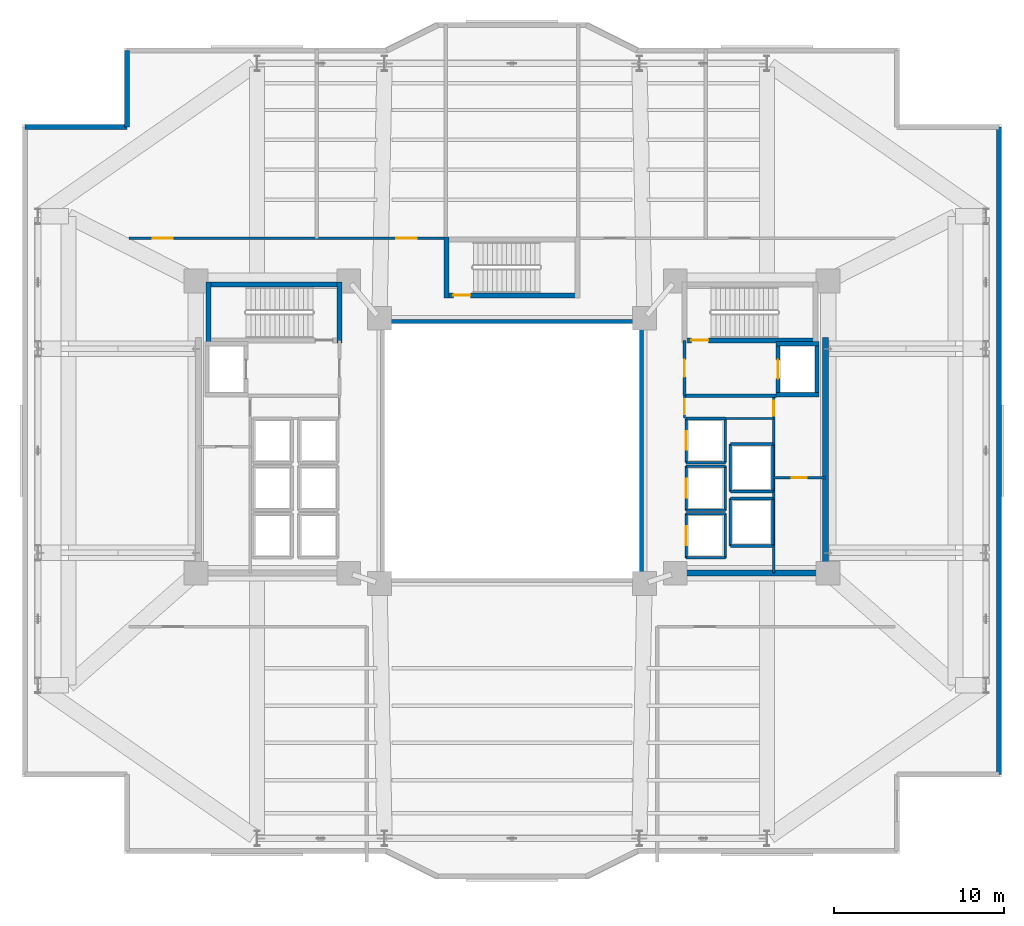
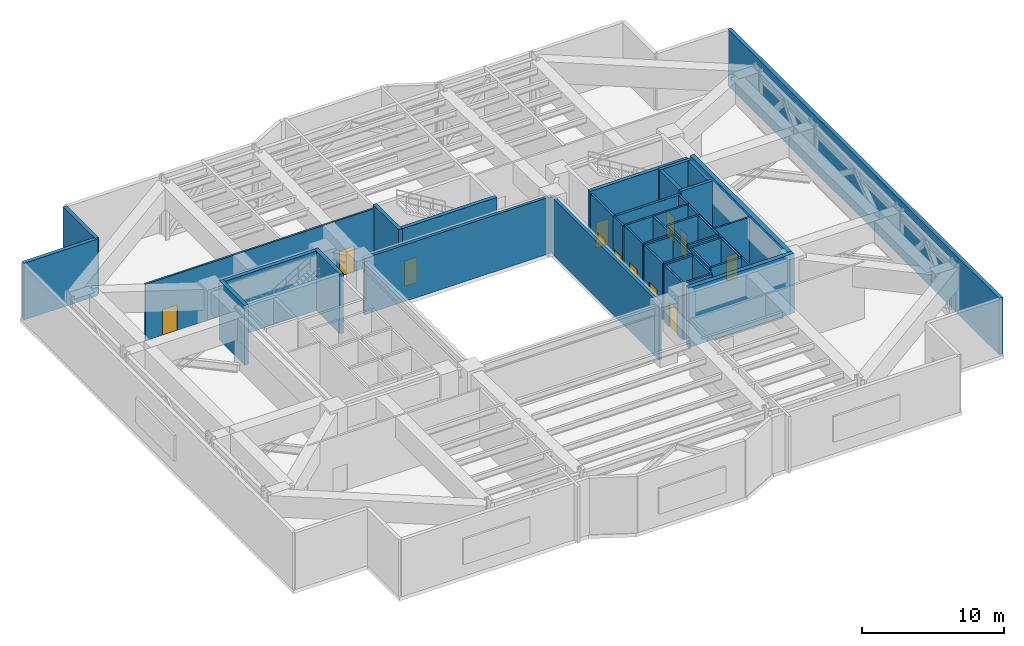
# One storey, part 9 of 12: 44 walls, 12 doors, 12 openings.
"""IFC4 building model written with IfcOpenShell, lengths in metres."""

from ifc_helpers import new_model, si_unit, direction, frame, frame_2d, origin, place, context, subcontext, project, spatial, rectangle, extrude, material, layer, layer_set, type_object, element, fill, save


model = new_model("IFC4")

# Units and contexts
model_context = context("Model", 3, precision=1e-05, world=origin(), true_north=direction((0.0, 1.0)))
body_context = subcontext(model_context, "Body", "Model", "MODEL_VIEW")
ifc_project = project(units=[si_unit("LENGTHUNIT", "METRE"), si_unit("AREAUNIT", "SQUARE_METRE"), si_unit("VOLUMEUNIT", "CUBIC_METRE"), si_unit("PLANEANGLEUNIT", "RADIAN"), si_unit("MASSUNIT", "GRAM", prefix="KILO")], contexts=[model_context])

# Site, building, storey
site_placement = place(None, origin())
site = spatial("IfcSite", under=ifc_project, at=site_placement, CompositionType="ELEMENT")
building_placement = place(site_placement, origin())
building = spatial("IfcBuilding", under=site, at=building_placement, Name="Tarnavaz Court Tower", CompositionType="ELEMENT")
storey_placement = place(building_placement, frame((0.0, 0.0, 73.199951171875)))
storey = spatial("IfcBuildingStorey", under=building, at=storey_placement, Name="L19", CompositionType="ELEMENT", Elevation=73.199951171875)

# Wall, opening, door
ifc_material_1 = material(Name="Concrete C60/75", Category="concrete")
ifc_layer_1 = layer(ifc_material_1, 0.25)
ifc_layer_set_1 = layer_set([ifc_layer_1], Name="Concrete C60/75")
wall_type_1 = type_object("IfcWallType", Name="WL-CORE-250-C60", PredefinedType="SHEAR", material=ifc_layer_set_1)
wall_1_placement = place(storey_placement, frame((15.64990234375, 3.175048828125, 0.0), z_axis=(0.0, 0.0, 1.0), x_axis=(0.0, 1.0, 0.0)))
wall_1 = element("IfcWall", 1, at=wall_1_placement, inside=storey, type_object=wall_type_1, Name="L19 Lift FL-E1 Shaft Wall 045", PredefinedType="SHEAR", context=body_context, shape_type="SweptSolid", body=[
    extrude(rectangle(XDim=3.25, YDim=0.25, at=frame_2d((1.625, 0.0))), origin(), (0.0, 0.0, 1.0), 5.10009765625),
])
opening_1_placement = place(wall_1_placement, frame((1.074951171875, 0.0, 0.0)))
opening_1 = element("IfcOpeningElement", 2, at=opening_1_placement, cuts=wall_1, Name="Opening LD1", PredefinedType="OPENING", context=body_context, shape_type="SweptSolid", body=[
    extrude(rectangle(XDim=1.10009765625, YDim=2.14990234375, at=frame_2d((0.550048828125, 1.074951171875))), frame((0.0, 0.135009765625, 0.0), z_axis=(0.0, -1.0, 0.0), x_axis=(1.0, 0.0, 0.0)), (0.0, 0.0, 1.0), 0.27001953125),
])
ifc_material_2 = material(Name="Stainless Steel", Category="steel")
door_type_1 = type_object("IfcDoorType", Name="DR-LD-1100", OperationType="NOTDEFINED", PredefinedType="DOOR", material=ifc_material_2)
door_1_placement = place(opening_1_placement, origin())
door_1 = element("IfcDoor", 3, at=door_1_placement, inside=storey, type_object=door_type_1, Name="L19 Lift Landing Door LD-FL-E1", OperationType="SLIDING_TO_LEFT", OverallHeight=2.14990234375, OverallWidth=1.10009765625, PredefinedType="DOOR", context=body_context, shape_type="SweptSolid", body=[
    extrude(rectangle(XDim=1.10009765625, YDim=2.14990234375, at=frame_2d((0.550048828125, 1.074951171875))), frame((0.0, 0.02490234375, 0.0), z_axis=(0.0, -1.0, 0.0), x_axis=(1.0, 0.0, 0.0)), (0.0, 0.0, 1.0), 0.050048828125),
])
fill(opening_1, door_1)

# Walls
wall_2_placement = place(storey_placement, frame((17.949951171875, 3.175048828125, 0.0), z_axis=(0.0, 0.0, 1.0), x_axis=(0.0, 1.0, 0.0)))
element("IfcWall", 4, at=wall_2_placement, inside=storey, type_object=wall_type_1, Name="L19 Lift FL-E1 Shaft Wall 046", PredefinedType="SHEAR", context=body_context, shape_type="SweptSolid", body=[
    extrude(rectangle(XDim=3.25, YDim=0.25, at=frame_2d((1.625, 0.0))), origin(), (0.0, 0.0, 1.0), 5.10009765625),
])
for number, where, z_axis, x_axis, name in (
    (5, (15.52490234375, 3.300048828125, 0.0), (0.0, 0.0, 1.0), (1.0, 0.0, 0.0), "L19 Lift FL-E1 Shaft Wall 047"),
    (6, (15.52490234375, 6.300048828125, 0.0), (0.0, 0.0, 1.0), (1.0, 0.0, 0.0), "L19 Lift FL-E1 Shaft Wall 048"),
):
    element("IfcWall", number, at=place(storey_placement, frame(where, z_axis=z_axis, x_axis=x_axis)), inside=storey, type_object=wall_type_1, Name=name, PredefinedType="SHEAR", context=body_context, shape_type="SweptSolid", body=[
        extrude(rectangle(XDim=2.550048828125, YDim=0.25, at=frame_2d((1.27490234375, 0.0))), origin(), (0.0, 0.0, 1.0), 5.10009765625),
    ])
ifc_layer_2 = layer(ifc_material_1, 0.300048828125)
ifc_layer_set_2 = layer_set([ifc_layer_2], Name="Concrete C60/75")
wall_type_2 = type_object("IfcWallType", Name="WL-CORE-300-C60", PredefinedType="SHEAR", material=ifc_layer_set_2)
wall_3_placement = place(storey_placement, frame((-18.0, 9.7900390625, 0.0), z_axis=(0.0, 0.0, 1.0), x_axis=(1.0, 0.0, 0.0)))
element("IfcWall", 7, at=wall_3_placement, inside=storey, type_object=wall_type_2, Name="L19 West Stair Core Wall 001", PredefinedType="SHEAR", context=body_context, shape_type="SweptSolid", body=[
    extrude(rectangle(XDim=8.0, YDim=0.300048828125, at=frame_2d((4.0, 0.0))), origin(), (0.0, 0.0, 1.0), 5.10009765625),
])
for number, where, z_axis, x_axis, name in (
    (8, (-17.85009765625, 6.35009765625, 0.0), (0.0, 0.0, 1.0), (0.0, 1.0, 0.0), "L19 West Stair Core Wall 003"),
    (9, (-10.14990234375, 6.35009765625, 0.0), (0.0, 0.0, 1.0), (0.0, 1.0, 0.0), "L19 West Stair Core Wall 004"),
):
    element("IfcWall", number, at=place(storey_placement, frame(where, z_axis=z_axis, x_axis=x_axis)), inside=storey, type_object=wall_type_2, Name=name, PredefinedType="SHEAR", context=body_context, shape_type="SweptSolid", body=[
        extrude(rectangle(XDim=3.58984375, YDim=0.300048828125, at=frame_2d((1.794921875, 0.0))), origin(), (0.0, 0.0, 1.0), 5.10009765625),
    ])

# Wall, opening, door
wall_4_placement = place(storey_placement, frame((10.0, 6.5, 0.0), z_axis=(0.0, 0.0, 1.0), x_axis=(1.0, 0.0, 0.0)))
wall_4 = element("IfcWall", 10, at=wall_4_placement, inside=storey, type_object=wall_type_2, Name="L19 East Stair Core Wall 006", PredefinedType="SHEAR", context=body_context, shape_type="SweptSolid", body=[
    extrude(rectangle(XDim=8.0, YDim=0.300048828125, at=frame_2d((4.0, 0.0))), origin(), (0.0, 0.0, 1.0), 5.10009765625),
])
opening_2_placement = place(wall_4_placement, frame((0.550048828125, 0.0, 0.0)))
opening_2 = element("IfcOpeningElement", 11, at=opening_2_placement, cuts=wall_4, Name="Opening D01", PredefinedType="OPENING", context=body_context, shape_type="SweptSolid", body=[
    extrude(rectangle(XDim=1.0, YDim=2.14990234375, at=frame_2d((0.5, 1.074951171875))), frame((0.0, 0.159912109375, 0.0), z_axis=(0.0, -1.0, 0.0), x_axis=(1.0, 0.0, 0.0)), (0.0, 0.0, 1.0), 0.320068359375),
])
ifc_material_3 = material(Name="Fire-Rated Hardwood Timber Core", Category="wood")
door_type_2 = type_object("IfcDoorType", Name="DR-FD90-1000", OperationType="NOTDEFINED", PredefinedType="DOOR", material=ifc_material_3)
door_2_placement = place(opening_2_placement, origin())
door_2 = element("IfcDoor", 12, at=door_2_placement, inside=storey, type_object=door_type_2, Name="L19 Stair ST-E1 Exit Door", OperationType="SINGLE_SWING_RIGHT", OverallHeight=2.14990234375, OverallWidth=1.0, PredefinedType="DOOR", context=body_context, shape_type="SweptSolid", body=[
    extrude(rectangle(XDim=1.0, YDim=2.14990234375, at=frame_2d((0.5, 1.074951171875))), frame((0.0, 0.02490234375, 0.0), z_axis=(0.0, -1.0, 0.0), x_axis=(1.0, 0.0, 0.0)), (0.0, 0.0, 1.0), 0.050048828125),
])
fill(opening_2, door_2)

wall_5_placement = place(storey_placement, frame((-4.0, 9.14990234375, 0.0), z_axis=(0.0, 0.0, 1.0), x_axis=(1.0, 0.0, 0.0)))
wall_5 = element("IfcWall", 13, at=wall_5_placement, inside=storey, type_object=wall_type_2, Name="L19 North Stair Core Wall 010", PredefinedType="SHEAR", context=body_context, shape_type="SweptSolid", body=[
    extrude(rectangle(XDim=8.0, YDim=0.300048828125, at=frame_2d((4.0, 0.0))), origin(), (0.0, 0.0, 1.0), 5.10009765625),
])
opening_3_placement = place(wall_5_placement, frame((0.550048828125, 0.0, 0.0)))
opening_3 = element("IfcOpeningElement", 14, at=opening_3_placement, cuts=wall_5, Name="Opening D01", PredefinedType="OPENING", context=body_context, shape_type="SweptSolid", body=[
    extrude(rectangle(XDim=1.0, YDim=2.14990234375, at=frame_2d((0.5, 1.074951171875))), frame((0.0, 0.159912109375, 0.0), z_axis=(0.0, -1.0, 0.0), x_axis=(1.0, 0.0, 0.0)), (0.0, 0.0, 1.0), 0.320068359375),
])
door_3_placement = place(opening_3_placement, origin())
door_3 = element("IfcDoor", 15, at=door_3_placement, inside=storey, type_object=door_type_2, Name="L19 Stair ST-N1 Exit Door", OperationType="SINGLE_SWING_LEFT", OverallHeight=2.14990234375, OverallWidth=1.0, PredefinedType="DOOR", context=body_context, shape_type="SweptSolid", body=[
    extrude(rectangle(XDim=1.0, YDim=2.14990234375, at=frame_2d((0.5, 1.074951171875))), frame((0.0, 0.02490234375, 0.0), z_axis=(0.0, -1.0, 0.0), x_axis=(1.0, 0.0, 0.0)), (0.0, 0.0, 1.0), 0.050048828125),
])
fill(opening_3, door_3)

# Walls
wall_6_placement = place(storey_placement, frame((-3.85009765625, 9.0, 0.0), z_axis=(0.0, 0.0, 1.0), x_axis=(0.0, 1.0, 0.0)))
element("IfcWall", 16, at=wall_6_placement, inside=storey, type_object=wall_type_2, Name="L19 North Stair Core Wall 011", PredefinedType="SHEAR", context=body_context, shape_type="SweptSolid", body=[
    extrude(rectangle(XDim=3.590087890625, YDim=0.300048828125, at=frame_2d((1.794921875, 0.0))), origin(), (0.0, 0.0, 1.0), 5.10009765625),
])
ifc_layer_3 = layer(ifc_material_1, 0.35009765625)
ifc_layer_set_3 = layer_set([ifc_layer_3], Name="Concrete C60/75")
wall_type_3 = type_object("IfcWallType", Name="WL-CORE-350-C60", PredefinedType="SHEAR", material=ifc_layer_set_3)
wall_7_placement = place(storey_placement, frame((18.449951171875, -7.375, 0.0), z_axis=(0.0, 0.0, 1.0), x_axis=(0.0, 1.0, 0.0)))
element("IfcWall", 17, at=wall_7_placement, inside=storey, type_object=wall_type_3, Name="L19 East Core Shear Wall 071", PredefinedType="SHEAR", context=body_context, shape_type="SweptSolid", body=[
    extrude(rectangle(XDim=14.050048828125, YDim=0.35009765625, at=frame_2d((7.02490234375, 0.0))), origin(), (0.0, 0.0, 1.0), 5.10009765625),
])
wall_8_placement = place(storey_placement, frame((10.074951171875, -7.199951171875, 0.0), z_axis=(0.0, 0.0, 1.0), x_axis=(1.0, 0.0, 0.0)))
element("IfcWall", 18, at=wall_8_placement, inside=storey, type_object=wall_type_3, Name="L19 East Core South Shear Wall 072", PredefinedType="SHEAR", context=body_context, shape_type="SweptSolid", body=[
    extrude(rectangle(XDim=8.550048828125, YDim=0.35009765625, at=frame_2d((4.27490234375, 0.0))), origin(), (0.0, 0.0, 1.0), 5.10009765625),
])
ifc_material_4 = material(Name="Precast Concrete C40/50", Category="concrete")
ifc_layer_4 = layer(ifc_material_4, 0.300048828125)
ifc_layer_set_4 = layer_set([ifc_layer_4], Name="Precast Concrete C40/50")
wall_type_4 = type_object("IfcWallType", Name="WL-EXT-300", PredefinedType="SOLIDWALL", material=ifc_layer_set_4)
wall_9_placement = place(storey_placement, frame((-28.64990234375, 19.050048828125, 0.0), z_axis=(0.0, 0.0, 1.0), x_axis=(1.0, 0.0, 0.0)))
element("IfcWall", 19, at=wall_9_placement, inside=storey, type_object=wall_type_4, Name="L19 Exterior Terracotta Facade Wall 03", PredefinedType="SOLIDWALL", context=body_context, shape_type="SweptSolid", body=[
    extrude(rectangle(XDim=6.0, YDim=0.300048828125, at=frame_2d((3.0, 0.0))), origin(), (0.0, 0.0, 1.0), 4.85009765625),
])
wall_10_placement = place(storey_placement, frame((-22.64990234375, 19.050048828125, 0.0), z_axis=(0.0, 0.0, 1.0), x_axis=(0.0, 1.0, 0.0)))
element("IfcWall", 20, at=wall_10_placement, inside=storey, type_object=wall_type_4, Name="L19 Exterior Terracotta Facade Wall 04", PredefinedType="SOLIDWALL", context=body_context, shape_type="SweptSolid", body=[
    extrude(rectangle(XDim=4.5, YDim=0.300048828125, at=frame_2d((2.25, 0.0))), origin(), (0.0, 0.0, 1.0), 4.85009765625),
])
wall_11_placement = place(storey_placement, frame((28.64990234375, 19.050048828125, 0.0), z_axis=(0.0, 0.0, 1.0), x_axis=(0.0, -1.0, 0.0)))
element("IfcWall", 21, at=wall_11_placement, inside=storey, type_object=wall_type_4, Name="L19 Exterior Terracotta Facade Wall 12", PredefinedType="SOLIDWALL", context=body_context, shape_type="SweptSolid", body=[
    extrude(rectangle(XDim=38.10009765625, YDim=0.300048828125, at=frame_2d((19.050048828125, 0.0))), origin(), (0.0, 0.0, 1.0), 4.85009765625),
])

# Wall, openings, doors
ifc_material_5 = material(Name="Gypsum Fire-Board on Acoustic Metal Stud", Category="masonry")
ifc_layer_5 = layer(ifc_material_5, 0.14990234375)
ifc_layer_set_5 = layer_set([ifc_layer_5], Name="Gypsum Fire-Board on Acoustic Metal Stud")
wall_type_5 = type_object("IfcWallType", Name="WL-FIRE-150", PredefinedType="PARTITIONING", material=ifc_layer_set_5)
wall_12_placement = place(storey_placement, frame((-22.550048828125, 12.5, 0.0), z_axis=(0.0, 0.0, 1.0), x_axis=(1.0, 0.0, 0.0)))
wall_12 = element("IfcWall", 22, at=wall_12_placement, inside=storey, type_object=wall_type_5, Name="L19 NW Wing Corridor Wall 081", PredefinedType="PARTITIONING", context=body_context, shape_type="SweptSolid", body=[
    extrude(rectangle(XDim=18.699951171875, YDim=0.14990234375, at=frame_2d((9.35009765625, 0.0))), origin(), (0.0, 0.0, 1.0), 4.85009765625),
])
opening_4_placement = place(wall_12_placement, frame((1.39990234375, 0.0, 0.0)))
opening_4 = element("IfcOpeningElement", 23, at=opening_4_placement, cuts=wall_12, Name="Opening D03", PredefinedType="OPENING", context=body_context, shape_type="SweptSolid", body=[
    extrude(rectangle(XDim=1.199951171875, YDim=2.199951171875, at=frame_2d((0.60009765625, 1.10009765625))), frame((0.0, 0.0849609375, 0.0), z_axis=(0.0, -1.0, 0.0), x_axis=(1.0, 0.0, 0.0)), (0.0, 0.0, 1.0), 0.169921875),
])
opening_5_placement = place(wall_12_placement, frame((15.75, 0.0, 0.0)))
opening_5 = element("IfcOpeningElement", 24, at=opening_5_placement, cuts=wall_12, Name="Opening D03", PredefinedType="OPENING", context=body_context, shape_type="SweptSolid", body=[
    extrude(rectangle(XDim=1.199951171875, YDim=2.199951171875, at=frame_2d((0.60009765625, 1.10009765625))), frame((0.0, 0.0849609375, 0.0), z_axis=(0.0, -1.0, 0.0), x_axis=(1.0, 0.0, 0.0)), (0.0, 0.0, 1.0), 0.169921875),
])
door_type_3 = type_object("IfcDoorType", Name="DR-FD90-1200", OperationType="NOTDEFINED", PredefinedType="DOOR", material=ifc_material_3)
door_4_placement = place(opening_4_placement, origin())
door_4 = element("IfcDoor", 25, at=door_4_placement, inside=storey, type_object=door_type_3, Name="L19 Chilled Water Plant Door", OperationType="SINGLE_SWING_LEFT", OverallHeight=2.199951171875, OverallWidth=1.199951171875, PredefinedType="DOOR", context=body_context, shape_type="SweptSolid", body=[
    extrude(rectangle(XDim=1.199951171875, YDim=2.199951171875, at=frame_2d((0.60009765625, 1.10009765625))), frame((0.0, 0.02490234375, 0.0), z_axis=(0.0, -1.0, 0.0), x_axis=(1.0, 0.0, 0.0)), (0.0, 0.0, 1.0), 0.050048828125),
])
fill(opening_4, door_4)
door_5_placement = place(opening_5_placement, origin())
door_5 = element("IfcDoor", 26, at=door_5_placement, inside=storey, type_object=door_type_3, Name="L19 North Refuge Area Door", OperationType="SINGLE_SWING_RIGHT", OverallHeight=2.199951171875, OverallWidth=1.199951171875, PredefinedType="DOOR", context=body_context, shape_type="SweptSolid", body=[
    extrude(rectangle(XDim=1.199951171875, YDim=2.199951171875, at=frame_2d((0.60009765625, 1.10009765625))), frame((0.0, 0.02490234375, 0.0), z_axis=(0.0, -1.0, 0.0), x_axis=(1.0, 0.0, 0.0)), (0.0, 0.0, 1.0), 0.050048828125),
])
fill(opening_5, door_5)

# Wall
ifc_material_6 = material(Name="Autoclaved Aerated Concrete Blockwork", Category="masonry")
ifc_layer_6 = layer(ifc_material_6, 0.199951171875)
ifc_layer_set_6 = layer_set([ifc_layer_6], Name="Autoclaved Aerated Concrete Blockwork")
wall_type_6 = type_object("IfcWallType", Name="WL-FIRE-200", PredefinedType="SOLIDWALL", material=ifc_layer_set_6)
wall_13_placement = place(storey_placement, frame((10.14990234375, 3.25, 0.0), z_axis=(0.0, 0.0, 1.0), x_axis=(1.0, 0.0, 0.0)))
element("IfcWall", 27, at=wall_13_placement, inside=storey, type_object=wall_type_6, Name="L19 East Firefighting Lobby Wall 015", PredefinedType="SOLIDWALL", context=body_context, shape_type="SweptSolid", body=[
    extrude(rectangle(XDim=5.400146484375, YDim=0.199951171875, at=frame_2d((2.7001953125, 0.0))), origin(), (0.0, 0.0, 1.0), 4.85009765625),
])

# Wall, opening, door
wall_14_placement = place(storey_placement, frame((10.14990234375, 3.25, 0.0), z_axis=(0.0, 0.0, 1.0), x_axis=(0.0, 1.0, 0.0)))
wall_14 = element("IfcWall", 28, at=wall_14_placement, inside=storey, type_object=wall_type_6, Name="L19 East Firefighting Lobby Wall 016", PredefinedType="SOLIDWALL", context=body_context, shape_type="SweptSolid", body=[
    extrude(rectangle(XDim=3.25, YDim=0.199951171875, at=frame_2d((1.625, 0.0))), origin(), (0.0, 0.0, 1.0), 4.85009765625),
])
opening_6_placement = place(wall_14_placement, frame((1.10009765625, 0.0, 0.0)))
opening_6 = element("IfcOpeningElement", 29, at=opening_6_placement, cuts=wall_14, Name="Opening D05", PredefinedType="OPENING", context=body_context, shape_type="SweptSolid", body=[
    extrude(rectangle(XDim=1.02001953125, YDim=2.14990234375, at=frame_2d((0.510009765625, 1.074951171875))), frame((0.0, 0.10986328125, 0.0), z_axis=(0.0, -1.0, 0.0), x_axis=(1.0, 0.0, 0.0)), (0.0, 0.0, 1.0), 0.219970703125),
])
door_type_4 = type_object("IfcDoorType", Name="DR-FD60-1000", OperationType="NOTDEFINED", PredefinedType="DOOR", material=ifc_material_3)
door_6_placement = place(opening_6_placement, origin())
door_6 = element("IfcDoor", 30, at=door_6_placement, inside=storey, type_object=door_type_4, Name="L19 East Firefighting Lobby Door", OperationType="SINGLE_SWING_LEFT", OverallHeight=2.14990234375, OverallWidth=1.02001953125, PredefinedType="DOOR", context=body_context, shape_type="SweptSolid", body=[
    extrude(rectangle(XDim=1.02001953125, YDim=2.14990234375, at=frame_2d((0.510009765625, 1.074951171875))), frame((0.0, 0.02490234375, 0.0), z_axis=(0.0, -1.0, 0.0), x_axis=(1.0, 0.0, 0.0)), (0.0, 0.0, 1.0), 0.050048828125),
])
fill(opening_6, door_6)

# Wall
ifc_material_7 = material(Name="Gypsum Plasterboard Acoustic Partition", Category="masonry")
ifc_layer_7 = layer(ifc_material_7, 0.139892578125)
ifc_layer_set_7 = layer_set([ifc_layer_7], Name="Gypsum Plasterboard Acoustic Partition")
wall_type_7 = type_object("IfcWallType", Name="WL-PART-150", PredefinedType="PARTITIONING", material=ifc_layer_set_7)
wall_15_placement = place(storey_placement, frame((12.550048828125, 1.89990234375, 0.0), z_axis=(0.0, 0.0, 1.0), x_axis=(1.0, 0.0, 0.0)))
element("IfcWall", 31, at=wall_15_placement, inside=storey, type_object=wall_type_7, Name="L19 Interior Partition 077", PredefinedType="PARTITIONING", context=body_context, shape_type="SweptSolid", body=[
    extrude(rectangle(XDim=2.849853515625, YDim=0.139892578125, at=frame_2d((1.4248046875, 0.0))), origin(), (0.0, 0.0, 1.0), 4.85009765625),
])

# Wall, opening, door
wall_16_placement = place(storey_placement, frame((10.14990234375, 1.919921875, 0.0), z_axis=(0.0, 0.0, 1.0), x_axis=(0.0, 1.0, 0.0)))
wall_16 = element("IfcWall", 32, at=wall_16_placement, inside=storey, type_object=wall_type_7, Name="L19 Interior Partition 078", PredefinedType="PARTITIONING", context=body_context, shape_type="SweptSolid", body=[
    extrude(rectangle(XDim=1.330078125, YDim=0.139892578125, at=frame_2d((0.6650390625, 0.0))), origin(), (0.0, 0.0, 1.0), 4.85009765625),
])
opening_7_placement = place(wall_16_placement, frame((0.219970703125, 0.0, 0.0)))
opening_7 = element("IfcOpeningElement", 33, at=opening_7_placement, cuts=wall_16, Name="Opening D09", PredefinedType="OPENING", context=body_context, shape_type="SweptSolid", body=[
    extrude(rectangle(XDim=0.89990234375, YDim=2.080078125, at=frame_2d((0.449951171875, 1.0400390625))), frame((0.0, 0.079833984375, 0.0), z_axis=(0.0, -1.0, 0.0), x_axis=(1.0, 0.0, 0.0)), (0.0, 0.0, 1.0), 0.159912109375),
])
door_type_5 = type_object("IfcDoorType", Name="DR-FD30-900", OperationType="NOTDEFINED", PredefinedType="DOOR", material=ifc_material_3)
door_7_placement = place(opening_7_placement, origin())
door_7 = element("IfcDoor", 34, at=door_7_placement, inside=storey, type_object=door_type_5, Name="L19 East Core Service Lobby Door", OperationType="SINGLE_SWING_RIGHT", OverallHeight=2.080078125, OverallWidth=0.89990234375, PredefinedType="DOOR", context=body_context, shape_type="SweptSolid", body=[
    extrude(rectangle(XDim=0.89990234375, YDim=2.080078125, at=frame_2d((0.449951171875, 1.0400390625))), frame((0.0, 0.02490234375, 0.0), z_axis=(0.0, -1.0, 0.0), x_axis=(1.0, 0.0, 0.0)), (0.0, 0.0, 1.0), 0.050048828125),
])
fill(opening_7, door_7)

wall_17_placement = place(storey_placement, frame((15.39990234375, -7.199951171875, 0.0), z_axis=(0.0, 0.0, 1.0), x_axis=(0.0, 1.0, 0.0)))
wall_17 = element("IfcWall", 35, at=wall_17_placement, inside=storey, type_object=wall_type_7, Name="L19 Interior Partition 079", PredefinedType="PARTITIONING", context=body_context, shape_type="SweptSolid", body=[
    extrude(rectangle(XDim=10.449951171875, YDim=0.139892578125, at=frame_2d((5.22509765625, 0.0))), origin(), (0.0, 0.0, 1.0), 4.85009765625),
])
opening_8_placement = place(wall_17_placement, frame((9.25, 0.0, 0.0)))
opening_8 = element("IfcOpeningElement", 36, at=opening_8_placement, cuts=wall_17, Name="Opening D09", PredefinedType="OPENING", context=body_context, shape_type="SweptSolid", body=[
    extrude(rectangle(XDim=0.89990234375, YDim=2.080078125, at=frame_2d((0.449951171875, 1.0400390625))), frame((0.0, 0.079833984375, 0.0), z_axis=(0.0, -1.0, 0.0), x_axis=(1.0, 0.0, 0.0)), (0.0, 0.0, 1.0), 0.159912109375),
])
door_8_placement = place(opening_8_placement, origin())
door_8 = element("IfcDoor", 37, at=door_8_placement, inside=storey, type_object=door_type_5, Name="L19 East Wet Riser Door", OperationType="SINGLE_SWING_LEFT", OverallHeight=2.080078125, OverallWidth=0.89990234375, PredefinedType="DOOR", context=body_context, shape_type="SweptSolid", body=[
    extrude(rectangle(XDim=0.89990234375, YDim=2.080078125, at=frame_2d((0.449951171875, 1.0400390625))), frame((0.0, 0.02490234375, 0.0), z_axis=(0.0, -1.0, 0.0), x_axis=(1.0, 0.0, 0.0)), (0.0, 0.0, 1.0), 0.050048828125),
])
fill(opening_8, door_8)

wall_18_placement = place(storey_placement, frame((15.39990234375, -1.590087890625, 0.0), z_axis=(0.0, 0.0, 1.0), x_axis=(1.0, 0.0, 0.0)))
wall_18 = element("IfcWall", 38, at=wall_18_placement, inside=storey, type_object=wall_type_7, Name="L19 Interior Partition 080", PredefinedType="PARTITIONING", context=body_context, shape_type="SweptSolid", body=[
    extrude(rectangle(XDim=3.050048828125, YDim=0.139892578125, at=frame_2d((1.52490234375, 0.0))), origin(), (0.0, 0.0, 1.0), 4.85009765625),
])
opening_9_placement = place(wall_18_placement, frame((1.050048828125, 0.0, 0.0)))
opening_9 = element("IfcOpeningElement", 39, at=opening_9_placement, cuts=wall_18, Name="Opening D09", PredefinedType="OPENING", context=body_context, shape_type="SweptSolid", body=[
    extrude(rectangle(XDim=0.89990234375, YDim=2.080078125, at=frame_2d((0.449951171875, 1.0400390625))), frame((0.0, 0.079833984375, 0.0), z_axis=(0.0, -1.0, 0.0), x_axis=(1.0, 0.0, 0.0)), (0.0, 0.0, 1.0), 0.159912109375),
])
door_9_placement = place(opening_9_placement, origin())
door_9 = element("IfcDoor", 40, at=door_9_placement, inside=storey, type_object=door_type_5, Name="L19 East Electrical Plant Door", OperationType="SINGLE_SWING_RIGHT", OverallHeight=2.080078125, OverallWidth=0.89990234375, PredefinedType="DOOR", context=body_context, shape_type="SweptSolid", body=[
    extrude(rectangle(XDim=0.89990234375, YDim=2.080078125, at=frame_2d((0.449951171875, 1.0400390625))), frame((0.0, 0.02490234375, 0.0), z_axis=(0.0, -1.0, 0.0), x_axis=(1.0, 0.0, 0.0)), (0.0, 0.0, 1.0), 0.050048828125),
])
fill(opening_9, door_9)

ifc_layer_8 = layer(ifc_material_6, 0.159912109375)
ifc_layer_set_8 = layer_set([ifc_layer_8], Name="Autoclaved Aerated Concrete Blockwork")
wall_type_8 = type_object("IfcWallType", Name="WL-SHAFT-150", PredefinedType="SOLIDWALL", material=ifc_layer_set_8)
wall_19_placement = place(storey_placement, frame((10.25, -6.300048828125, 0.0), z_axis=(0.0, 0.0, 1.0), x_axis=(0.0, 1.0, 0.0)))
wall_19 = element("IfcWall", 41, at=wall_19_placement, inside=storey, type_object=wall_type_8, Name="L19 Lift PL-M1 Shaft Wall 049", PredefinedType="SOLIDWALL", context=body_context, shape_type="SweptSolid", body=[
    extrude(rectangle(XDim=2.60009765625, YDim=0.159912109375, at=frame_2d((1.300048828125, 0.0))), origin(), (0.0, 0.0, 1.0), 4.85009765625),
])
opening_10_placement = place(wall_19_placement, frame((0.75, 0.0, 0.0)))
opening_10 = element("IfcOpeningElement", 42, at=opening_10_placement, cuts=wall_19, Name="Opening LD1", PredefinedType="OPENING", context=body_context, shape_type="SweptSolid", body=[
    extrude(rectangle(XDim=1.10009765625, YDim=2.14990234375, at=frame_2d((0.550048828125, 1.074951171875))), frame((0.0, 0.08984375, 0.0), z_axis=(0.0, -1.0, 0.0), x_axis=(1.0, 0.0, 0.0)), (0.0, 0.0, 1.0), 0.179931640625),
])
door_10_placement = place(opening_10_placement, origin())
door_10 = element("IfcDoor", 43, at=door_10_placement, inside=storey, type_object=door_type_1, Name="L19 Lift Landing Door LD-PL-M1", OperationType="SLIDING_TO_LEFT", OverallHeight=2.14990234375, OverallWidth=1.10009765625, PredefinedType="DOOR", context=body_context, shape_type="SweptSolid", body=[
    extrude(rectangle(XDim=1.10009765625, YDim=2.14990234375, at=frame_2d((0.550048828125, 1.074951171875))), frame((0.0, 0.02490234375, 0.0), z_axis=(0.0, -1.0, 0.0), x_axis=(1.0, 0.0, 0.0)), (0.0, 0.0, 1.0), 0.050048828125),
])
fill(opening_10, door_10)

# Walls
wall_20_placement = place(storey_placement, frame((12.550048828125, -6.300048828125, 0.0), z_axis=(0.0, 0.0, 1.0), x_axis=(0.0, 1.0, 0.0)))
element("IfcWall", 44, at=wall_20_placement, inside=storey, type_object=wall_type_8, Name="L19 Lift PL-M1 Shaft Wall 050", PredefinedType="SOLIDWALL", context=body_context, shape_type="SweptSolid", body=[
    extrude(rectangle(XDim=2.60009765625, YDim=0.159912109375, at=frame_2d((1.300048828125, 0.0))), origin(), (0.0, 0.0, 1.0), 4.85009765625),
])
for number, where, z_axis, x_axis, name in (
    (45, (10.25, -6.300048828125, 0.0), (0.0, 0.0, 1.0), (1.0, 0.0, 0.0), "L19 Lift PL-M1 Shaft Wall 051"),
    (46, (10.25, -3.699951171875, 0.0), (0.0, 0.0, 1.0), (1.0, 0.0, 0.0), "L19 Lift PL-M1 Shaft Wall 052"),
):
    element("IfcWall", number, at=place(storey_placement, frame(where, z_axis=z_axis, x_axis=x_axis)), inside=storey, type_object=wall_type_8, Name=name, PredefinedType="SOLIDWALL", context=body_context, shape_type="SweptSolid", body=[
        extrude(rectangle(XDim=2.300048828125, YDim=0.159912109375, at=frame_2d((1.14990234375, 0.0))), origin(), (0.0, 0.0, 1.0), 4.85009765625),
    ])

# Wall, opening, door
wall_21_placement = place(storey_placement, frame((10.25, -3.5, 0.0), z_axis=(0.0, 0.0, 1.0), x_axis=(0.0, 1.0, 0.0)))
wall_21 = element("IfcWall", 47, at=wall_21_placement, inside=storey, type_object=wall_type_8, Name="L19 Lift PL-M2 Shaft Wall 053", PredefinedType="SOLIDWALL", context=body_context, shape_type="SweptSolid", body=[
    extrude(rectangle(XDim=2.60009765625, YDim=0.159912109375, at=frame_2d((1.300048828125, 0.0))), origin(), (0.0, 0.0, 1.0), 4.85009765625),
])
opening_11_placement = place(wall_21_placement, frame((0.75, 0.0, 0.0)))
opening_11 = element("IfcOpeningElement", 48, at=opening_11_placement, cuts=wall_21, Name="Opening LD1", PredefinedType="OPENING", context=body_context, shape_type="SweptSolid", body=[
    extrude(rectangle(XDim=1.10009765625, YDim=2.14990234375, at=frame_2d((0.550048828125, 1.074951171875))), frame((0.0, 0.08984375, 0.0), z_axis=(0.0, -1.0, 0.0), x_axis=(1.0, 0.0, 0.0)), (0.0, 0.0, 1.0), 0.179931640625),
])
door_11_placement = place(opening_11_placement, origin())
door_11 = element("IfcDoor", 49, at=door_11_placement, inside=storey, type_object=door_type_1, Name="L19 Lift Landing Door LD-PL-M2", OperationType="SLIDING_TO_LEFT", OverallHeight=2.14990234375, OverallWidth=1.10009765625, PredefinedType="DOOR", context=body_context, shape_type="SweptSolid", body=[
    extrude(rectangle(XDim=1.10009765625, YDim=2.14990234375, at=frame_2d((0.550048828125, 1.074951171875))), frame((0.0, 0.02490234375, 0.0), z_axis=(0.0, -1.0, 0.0), x_axis=(1.0, 0.0, 0.0)), (0.0, 0.0, 1.0), 0.050048828125),
])
fill(opening_11, door_11)

# Walls
wall_22_placement = place(storey_placement, frame((12.550048828125, -3.5, 0.0), z_axis=(0.0, 0.0, 1.0), x_axis=(0.0, 1.0, 0.0)))
element("IfcWall", 50, at=wall_22_placement, inside=storey, type_object=wall_type_8, Name="L19 Lift PL-M2 Shaft Wall 054", PredefinedType="SOLIDWALL", context=body_context, shape_type="SweptSolid", body=[
    extrude(rectangle(XDim=2.60009765625, YDim=0.159912109375, at=frame_2d((1.300048828125, 0.0))), origin(), (0.0, 0.0, 1.0), 4.85009765625),
])
for number, where, z_axis, x_axis, name in (
    (51, (10.25, -3.5, 0.0), (0.0, 0.0, 1.0), (1.0, 0.0, 0.0), "L19 Lift PL-M2 Shaft Wall 055"),
    (52, (10.25, -0.89990234375, 0.0), (0.0, 0.0, 1.0), (1.0, 0.0, 0.0), "L19 Lift PL-M2 Shaft Wall 056"),
):
    element("IfcWall", number, at=place(storey_placement, frame(where, z_axis=z_axis, x_axis=x_axis)), inside=storey, type_object=wall_type_8, Name=name, PredefinedType="SOLIDWALL", context=body_context, shape_type="SweptSolid", body=[
        extrude(rectangle(XDim=2.300048828125, YDim=0.159912109375, at=frame_2d((1.14990234375, 0.0))), origin(), (0.0, 0.0, 1.0), 4.85009765625),
    ])

# Wall, opening, door
wall_23_placement = place(storey_placement, frame((10.25, -0.699951171875, 0.0), z_axis=(0.0, 0.0, 1.0), x_axis=(0.0, 1.0, 0.0)))
wall_23 = element("IfcWall", 53, at=wall_23_placement, inside=storey, type_object=wall_type_8, Name="L19 Lift PL-M3 Shaft Wall 057", PredefinedType="SOLIDWALL", context=body_context, shape_type="SweptSolid", body=[
    extrude(rectangle(XDim=2.599853515625, YDim=0.159912109375, at=frame_2d((1.2998046875, 0.0))), origin(), (0.0, 0.0, 1.0), 4.85009765625),
])
opening_12_placement = place(wall_23_placement, frame((0.75, 0.0, 0.0)))
opening_12 = element("IfcOpeningElement", 54, at=opening_12_placement, cuts=wall_23, Name="Opening LD1", PredefinedType="OPENING", context=body_context, shape_type="SweptSolid", body=[
    extrude(rectangle(XDim=1.10009765625, YDim=2.14990234375, at=frame_2d((0.550048828125, 1.074951171875))), frame((0.0, 0.08984375, 0.0), z_axis=(0.0, -1.0, 0.0), x_axis=(1.0, 0.0, 0.0)), (0.0, 0.0, 1.0), 0.179931640625),
])
door_12_placement = place(opening_12_placement, origin())
door_12 = element("IfcDoor", 55, at=door_12_placement, inside=storey, type_object=door_type_1, Name="L19 Lift Landing Door LD-PL-M3", OperationType="SLIDING_TO_LEFT", OverallHeight=2.14990234375, OverallWidth=1.10009765625, PredefinedType="DOOR", context=body_context, shape_type="SweptSolid", body=[
    extrude(rectangle(XDim=1.10009765625, YDim=2.14990234375, at=frame_2d((0.550048828125, 1.074951171875))), frame((0.0, 0.02490234375, 0.0), z_axis=(0.0, -1.0, 0.0), x_axis=(1.0, 0.0, 0.0)), (0.0, 0.0, 1.0), 0.050048828125),
])
fill(opening_12, door_12)

# Walls
wall_24_placement = place(storey_placement, frame((12.550048828125, -0.699951171875, 0.0), z_axis=(0.0, 0.0, 1.0), x_axis=(0.0, 1.0, 0.0)))
element("IfcWall", 56, at=wall_24_placement, inside=storey, type_object=wall_type_8, Name="L19 Lift PL-M3 Shaft Wall 058", PredefinedType="SOLIDWALL", context=body_context, shape_type="SweptSolid", body=[
    extrude(rectangle(XDim=2.599853515625, YDim=0.159912109375, at=frame_2d((1.2998046875, 0.0))), origin(), (0.0, 0.0, 1.0), 4.85009765625),
])
for number, where, z_axis, x_axis, name in (
    (57, (10.25, -0.699951171875, 0.0), (0.0, 0.0, 1.0), (1.0, 0.0, 0.0), "L19 Lift PL-M3 Shaft Wall 059"),
    (58, (10.25, 1.89990234375, 0.0), (0.0, 0.0, 1.0), (1.0, 0.0, 0.0), "L19 Lift PL-M3 Shaft Wall 060"),
):
    element("IfcWall", number, at=place(storey_placement, frame(where, z_axis=z_axis, x_axis=x_axis)), inside=storey, type_object=wall_type_8, Name=name, PredefinedType="SOLIDWALL", context=body_context, shape_type="SweptSolid", body=[
        extrude(rectangle(XDim=2.300048828125, YDim=0.159912109375, at=frame_2d((1.14990234375, 0.0))), origin(), (0.0, 0.0, 1.0), 4.85009765625),
    ])
for number, where, z_axis, x_axis, name in (
    (59, (12.85009765625, -5.60009765625, 0.0), (0.0, 0.0, 1.0), (0.0, 1.0, 0.0), "L19 Lift PL-OB1 Shaft Wall 061"),
    (60, (15.35009765625, -5.60009765625, 0.0), (0.0, 0.0, 1.0), (0.0, 1.0, 0.0), "L19 Lift PL-OB1 Shaft Wall 062"),
):
    element("IfcWall", number, at=place(storey_placement, frame(where, z_axis=z_axis, x_axis=x_axis)), inside=storey, type_object=wall_type_8, Name=name, PredefinedType="SOLIDWALL", context=body_context, shape_type="SweptSolid", body=[
        extrude(rectangle(XDim=2.800048828125, YDim=0.159912109375, at=frame_2d((1.39990234375, 0.0))), origin(), (0.0, 0.0, 1.0), 4.85009765625),
    ])
for number, where, z_axis, x_axis, name in (
    (61, (12.85009765625, -5.60009765625, 0.0), (0.0, 0.0, 1.0), (1.0, 0.0, 0.0), "L19 Lift PL-OB1 Shaft Wall 063"),
    (62, (12.85009765625, -2.800048828125, 0.0), (0.0, 0.0, 1.0), (1.0, 0.0, 0.0), "L19 Lift PL-OB1 Shaft Wall 064"),
):
    element("IfcWall", number, at=place(storey_placement, frame(where, z_axis=z_axis, x_axis=x_axis)), inside=storey, type_object=wall_type_8, Name=name, PredefinedType="SOLIDWALL", context=body_context, shape_type="SweptSolid", body=[
        extrude(rectangle(XDim=2.5, YDim=0.159912109375, at=frame_2d((1.25, 0.0))), origin(), (0.0, 0.0, 1.0), 4.85009765625),
    ])
for number, where, z_axis, x_axis, name in (
    (63, (12.85009765625, -2.39990234375, 0.0), (0.0, 0.0, 1.0), (0.0, 1.0, 0.0), "L19 Lift PL-OB2 Shaft Wall 065"),
    (64, (15.35009765625, -2.39990234375, 0.0), (0.0, 0.0, 1.0), (0.0, 1.0, 0.0), "L19 Lift PL-OB2 Shaft Wall 066"),
):
    element("IfcWall", number, at=place(storey_placement, frame(where, z_axis=z_axis, x_axis=x_axis)), inside=storey, type_object=wall_type_8, Name=name, PredefinedType="SOLIDWALL", context=body_context, shape_type="SweptSolid", body=[
        extrude(rectangle(XDim=2.7998046875, YDim=0.159912109375, at=frame_2d((1.39990234375, 0.0))), origin(), (0.0, 0.0, 1.0), 4.85009765625),
    ])
for number, where, z_axis, x_axis, name in (
    (65, (12.85009765625, -2.39990234375, 0.0), (0.0, 0.0, 1.0), (1.0, 0.0, 0.0), "L19 Lift PL-OB2 Shaft Wall 067"),
    (66, (12.85009765625, 0.39990234375, 0.0), (0.0, 0.0, 1.0), (1.0, 0.0, 0.0), "L19 Lift PL-OB2 Shaft Wall 068"),
):
    element("IfcWall", number, at=place(storey_placement, frame(where, z_axis=z_axis, x_axis=x_axis)), inside=storey, type_object=wall_type_8, Name=name, PredefinedType="SOLIDWALL", context=body_context, shape_type="SweptSolid", body=[
        extrude(rectangle(XDim=2.5, YDim=0.159912109375, at=frame_2d((1.25, 0.0))), origin(), (0.0, 0.0, 1.0), 4.85009765625),
    ])
ifc_layer_9 = layer(ifc_material_4, 0.239990234375)
ifc_layer_set_9 = layer_set([ifc_layer_9], Name="Precast Concrete C40/50")
wall_type_9 = type_object("IfcWallType", Name="WL-WELL-240", PredefinedType="SOLIDWALL", material=ifc_layer_set_9)
for number, where, z_axis, x_axis, name in (
    (67, (7.6201171875, -7.6201171875, 0.0), (0.0, 0.0, 1.0), (0.0, 1.0, 0.0), "L19 Badgir Light-Well Exterior Wall E"),
    (68, (7.6201171875, 7.6201171875, 0.0), (0.0, 0.0, 1.0), (-1.0, 0.0, 0.0), "L19 Badgir Light-Well Exterior Wall N"),
):
    element("IfcWall", number, at=place(storey_placement, frame(where, z_axis=z_axis, x_axis=x_axis)), inside=storey, type_object=wall_type_9, Name=name, PredefinedType="SOLIDWALL", context=body_context, shape_type="SweptSolid", body=[
        extrude(rectangle(XDim=15.240234375, YDim=0.239990234375, at=frame_2d((7.6201171875, 0.0))), origin(), (0.0, 0.0, 1.0), 4.85009765625),
    ])

save(model, "model.ifc")
